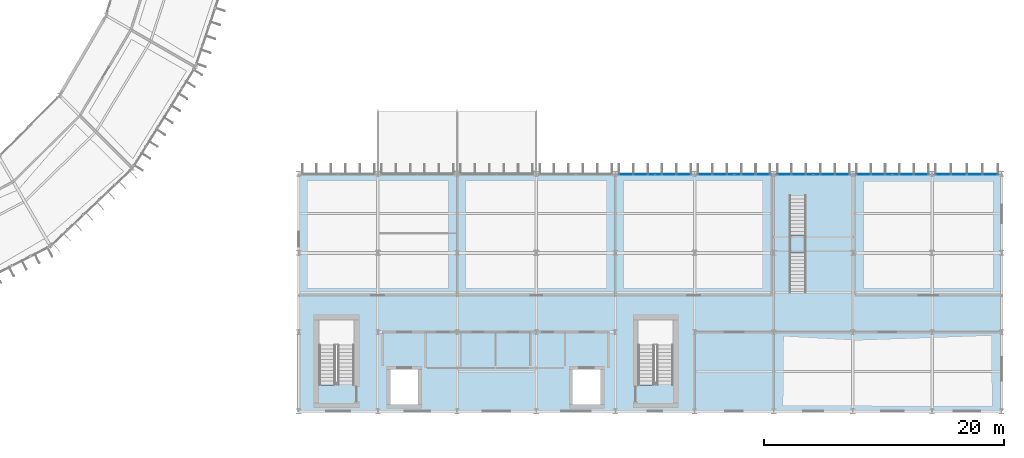
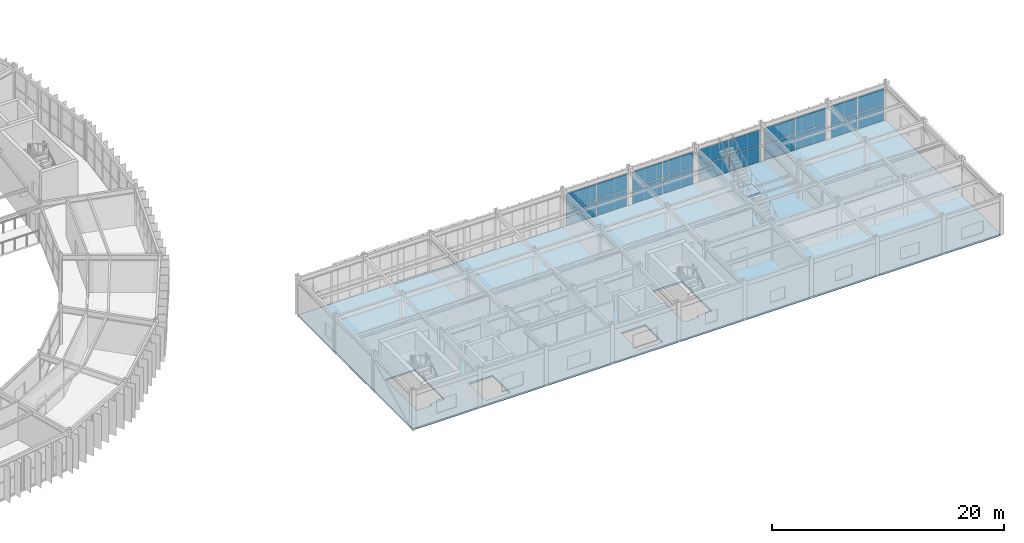
# One storey, part 106 of 148: 20 plates, 2 slabs, 6 elements without a shape of their own.
"""IFC4 building model written with IfcOpenShell, lengths in metres."""

from ifc_helpers import new_model, si_unit, direction, frame, origin, origin_2d, place, context, subcontext, project, spatial, polyline, rectangle, outline, extrude, material, layer, layer_set, type_object, element, aggregate, save


model = new_model("IFC4")

# Units and contexts
model_context = context("Model", 3, precision=1e-05, world=origin(), true_north=direction((0.0, 1.0)))
body_context = subcontext(model_context, "Body", "Model", "MODEL_VIEW")
ifc_project = project(units=[si_unit("LENGTHUNIT", "METRE"), si_unit("AREAUNIT", "SQUARE_METRE"), si_unit("VOLUMEUNIT", "CUBIC_METRE"), si_unit("PLANEANGLEUNIT", "RADIAN"), si_unit("MASSUNIT", "GRAM", prefix="KILO")], contexts=[model_context])

# Site, building, storey
site_placement = place(None, origin())
site = spatial("IfcSite", under=ifc_project, at=site_placement, CompositionType="ELEMENT")
building_placement = place(site_placement, origin())
building = spatial("IfcBuilding", under=site, at=building_placement, Name="Karori Crest Natural Sciences Institute", CompositionType="ELEMENT")
storey_placement = place(building_placement, frame((0.0, 0.0, 4.89990234375)))
storey = spatial("IfcBuildingStorey", under=building, at=storey_placement, Name="L01", CompositionType="ELEMENT", Elevation=4.89990234375)

# Curtain wall, plates
ifc_material_1 = material(Name="Anodised architectural aluminium 6063-T6", Category="aluminium")
curtain_wall_type = type_object("IfcCurtainWallType", Name="CWT-20", PredefinedType="NOTDEFINED", material=ifc_material_1)
curtain_wall_1_placement = place(storey_placement, origin())
curtain_wall_1 = element("IfcCurtainWall", 1, at=curtain_wall_1_placement, inside=storey, type_object=curtain_wall_type, Name="Curtain wall CW-0308", PredefinedType="NOTDEFINED")
ifc_material_2 = material(Name="Double low-E laminated glass", Category="glass")
ifc_layer_1 = layer(ifc_material_2, 0.02392578125, Name="Double low-E laminated glass")
ifc_layer_set_1 = layer_set([ifc_layer_1], Name="Double low-E laminated glass")
plate_type = type_object("IfcPlateType", Name="CWP-01", PredefinedType="CURTAIN_PANEL", material=ifc_layer_set_1)
plate_1_placement = place(storey_placement, frame((131.76513671875, 20.5400390625, 0.06005859375), z_axis=(0.0, 0.0, 1.0), x_axis=(1.0, 0.0, 0.0)))
plate_1 = element("IfcPlate", 2, at=plate_1_placement, type_object=plate_type, Name="CW-0308 panel 1.1", PredefinedType="CURTAIN_PANEL", context=body_context, shape_type="SweptSolid", body=[
    extrude(rectangle(XDim=3.00439453125, YDim=0.02392578125, at=origin_2d()), origin(), (0.0, 0.0, 1.0), 1.66259765625),
])
plate_2_placement = place(storey_placement, frame((131.76513671875, 20.5400390625, 1.782470703125), z_axis=(0.0, 0.0, 1.0), x_axis=(1.0, 0.0, 0.0)))
plate_2 = element("IfcPlate", 3, at=plate_2_placement, type_object=plate_type, Name="CW-0308 panel 1.2", PredefinedType="CURTAIN_PANEL", context=body_context, shape_type="SweptSolid", body=[
    extrude(rectangle(XDim=3.00439453125, YDim=0.02392578125, at=origin_2d()), origin(), (0.0, 0.0, 1.0), 1.66259765625),
])
plate_3_placement = place(storey_placement, frame((134.834716796875, 20.5400390625, 0.06005859375), z_axis=(0.0, 0.0, 1.0), x_axis=(1.0, 0.0, 0.0)))
plate_3 = element("IfcPlate", 4, at=plate_3_placement, type_object=plate_type, Name="CW-0308 panel 2.1", PredefinedType="CURTAIN_PANEL", context=body_context, shape_type="SweptSolid", body=[
    extrude(rectangle(XDim=3.00439453125, YDim=0.02392578125, at=origin_2d()), origin(), (0.0, 0.0, 1.0), 1.66259765625),
])
plate_4_placement = place(storey_placement, frame((134.834716796875, 20.5400390625, 1.782470703125), z_axis=(0.0, 0.0, 1.0), x_axis=(1.0, 0.0, 0.0)))
plate_4 = element("IfcPlate", 5, at=plate_4_placement, type_object=plate_type, Name="CW-0308 panel 2.2", PredefinedType="CURTAIN_PANEL", context=body_context, shape_type="SweptSolid", body=[
    extrude(rectangle(XDim=3.00439453125, YDim=0.02392578125, at=origin_2d()), origin(), (0.0, 0.0, 1.0), 1.66259765625),
])
aggregate(curtain_wall_1, [plate_1, plate_2, plate_3, plate_4])

curtain_wall_2_placement = place(storey_placement, origin())
curtain_wall_2 = element("IfcCurtainWall", 6, at=curtain_wall_2_placement, inside=storey, type_object=curtain_wall_type, Name="Curtain wall CW-0309", PredefinedType="NOTDEFINED")
plate_5_placement = place(storey_placement, frame((138.365234375, 20.5400390625, 0.06005859375), z_axis=(0.0, 0.0, 1.0), x_axis=(1.0, 0.0, 0.0)))
plate_5 = element("IfcPlate", 7, at=plate_5_placement, type_object=plate_type, Name="CW-0309 panel 1.1", PredefinedType="CURTAIN_PANEL", context=body_context, shape_type="SweptSolid", body=[
    extrude(rectangle(XDim=3.00439453125, YDim=0.02392578125, at=origin_2d()), origin(), (0.0, 0.0, 1.0), 1.66259765625),
])
plate_6_placement = place(storey_placement, frame((138.365234375, 20.5400390625, 1.782470703125), z_axis=(0.0, 0.0, 1.0), x_axis=(1.0, 0.0, 0.0)))
plate_6 = element("IfcPlate", 8, at=plate_6_placement, type_object=plate_type, Name="CW-0309 panel 1.2", PredefinedType="CURTAIN_PANEL", context=body_context, shape_type="SweptSolid", body=[
    extrude(rectangle(XDim=3.00439453125, YDim=0.02392578125, at=origin_2d()), origin(), (0.0, 0.0, 1.0), 1.66259765625),
])
plate_7_placement = place(storey_placement, frame((141.434814453125, 20.5400390625, 0.06005859375), z_axis=(0.0, 0.0, 1.0), x_axis=(1.0, 0.0, 0.0)))
plate_7 = element("IfcPlate", 9, at=plate_7_placement, type_object=plate_type, Name="CW-0309 panel 2.1", PredefinedType="CURTAIN_PANEL", context=body_context, shape_type="SweptSolid", body=[
    extrude(rectangle(XDim=3.00439453125, YDim=0.02392578125, at=origin_2d()), origin(), (0.0, 0.0, 1.0), 1.66259765625),
])
plate_8_placement = place(storey_placement, frame((141.434814453125, 20.5400390625, 1.782470703125), z_axis=(0.0, 0.0, 1.0), x_axis=(1.0, 0.0, 0.0)))
plate_8 = element("IfcPlate", 10, at=plate_8_placement, type_object=plate_type, Name="CW-0309 panel 2.2", PredefinedType="CURTAIN_PANEL", context=body_context, shape_type="SweptSolid", body=[
    extrude(rectangle(XDim=3.00439453125, YDim=0.02392578125, at=origin_2d()), origin(), (0.0, 0.0, 1.0), 1.66259765625),
])
aggregate(curtain_wall_2, [plate_5, plate_6, plate_7, plate_8])

curtain_wall_3_placement = place(storey_placement, origin())
curtain_wall_3 = element("IfcCurtainWall", 11, at=curtain_wall_3_placement, inside=storey, type_object=curtain_wall_type, Name="Curtain wall CW-0310", PredefinedType="NOTDEFINED")
plate_9_placement = place(storey_placement, frame((144.96533203125, 20.5400390625, 0.06005859375), z_axis=(0.0, 0.0, 1.0), x_axis=(1.0, 0.0, 0.0)))
plate_9 = element("IfcPlate", 12, at=plate_9_placement, type_object=plate_type, Name="CW-0310 panel 1.1", PredefinedType="CURTAIN_PANEL", context=body_context, shape_type="SweptSolid", body=[
    extrude(rectangle(XDim=3.00439453125, YDim=0.02392578125, at=origin_2d()), origin(), (0.0, 0.0, 1.0), 1.66259765625),
])
plate_10_placement = place(storey_placement, frame((144.96533203125, 20.5400390625, 1.782470703125), z_axis=(0.0, 0.0, 1.0), x_axis=(1.0, 0.0, 0.0)))
plate_10 = element("IfcPlate", 13, at=plate_10_placement, type_object=plate_type, Name="CW-0310 panel 1.2", PredefinedType="CURTAIN_PANEL", context=body_context, shape_type="SweptSolid", body=[
    extrude(rectangle(XDim=3.00439453125, YDim=0.02392578125, at=origin_2d()), origin(), (0.0, 0.0, 1.0), 1.66259765625),
])
plate_11_placement = place(storey_placement, frame((148.03466796875, 20.5400390625, 0.06005859375), z_axis=(0.0, 0.0, 1.0), x_axis=(1.0, 0.0, 0.0)))
plate_11 = element("IfcPlate", 14, at=plate_11_placement, type_object=plate_type, Name="CW-0310 panel 2.1", PredefinedType="CURTAIN_PANEL", context=body_context, shape_type="SweptSolid", body=[
    extrude(rectangle(XDim=3.00439453125, YDim=0.02392578125, at=origin_2d()), origin(), (0.0, 0.0, 1.0), 1.66259765625),
])
plate_12_placement = place(storey_placement, frame((148.03466796875, 20.5400390625, 1.782470703125), z_axis=(0.0, 0.0, 1.0), x_axis=(1.0, 0.0, 0.0)))
plate_12 = element("IfcPlate", 15, at=plate_12_placement, type_object=plate_type, Name="CW-0310 panel 2.2", PredefinedType="CURTAIN_PANEL", context=body_context, shape_type="SweptSolid", body=[
    extrude(rectangle(XDim=3.00439453125, YDim=0.02392578125, at=origin_2d()), origin(), (0.0, 0.0, 1.0), 1.66259765625),
])
aggregate(curtain_wall_3, [plate_9, plate_10, plate_11, plate_12])

curtain_wall_4_placement = place(storey_placement, origin())
curtain_wall_4 = element("IfcCurtainWall", 16, at=curtain_wall_4_placement, inside=storey, type_object=curtain_wall_type, Name="Curtain wall CW-0311", PredefinedType="NOTDEFINED")
plate_13_placement = place(storey_placement, frame((151.565185546875, 20.5400390625, 0.06005859375), z_axis=(0.0, 0.0, 1.0), x_axis=(1.0, 0.0, 0.0)))
plate_13 = element("IfcPlate", 17, at=plate_13_placement, type_object=plate_type, Name="CW-0311 panel 1.1", PredefinedType="CURTAIN_PANEL", context=body_context, shape_type="SweptSolid", body=[
    extrude(rectangle(XDim=3.00439453125, YDim=0.02392578125, at=origin_2d()), origin(), (0.0, 0.0, 1.0), 1.66259765625),
])
plate_14_placement = place(storey_placement, frame((151.565185546875, 20.5400390625, 1.782470703125), z_axis=(0.0, 0.0, 1.0), x_axis=(1.0, 0.0, 0.0)))
plate_14 = element("IfcPlate", 18, at=plate_14_placement, type_object=plate_type, Name="CW-0311 panel 1.2", PredefinedType="CURTAIN_PANEL", context=body_context, shape_type="SweptSolid", body=[
    extrude(rectangle(XDim=3.00439453125, YDim=0.02392578125, at=origin_2d()), origin(), (0.0, 0.0, 1.0), 1.66259765625),
])
plate_15_placement = place(storey_placement, frame((154.634765625, 20.5400390625, 0.06005859375), z_axis=(0.0, 0.0, 1.0), x_axis=(1.0, 0.0, 0.0)))
plate_15 = element("IfcPlate", 19, at=plate_15_placement, type_object=plate_type, Name="CW-0311 panel 2.1", PredefinedType="CURTAIN_PANEL", context=body_context, shape_type="SweptSolid", body=[
    extrude(rectangle(XDim=3.00439453125, YDim=0.02392578125, at=origin_2d()), origin(), (0.0, 0.0, 1.0), 1.66259765625),
])
plate_16_placement = place(storey_placement, frame((154.634765625, 20.5400390625, 1.782470703125), z_axis=(0.0, 0.0, 1.0), x_axis=(1.0, 0.0, 0.0)))
plate_16 = element("IfcPlate", 20, at=plate_16_placement, type_object=plate_type, Name="CW-0311 panel 2.2", PredefinedType="CURTAIN_PANEL", context=body_context, shape_type="SweptSolid", body=[
    extrude(rectangle(XDim=3.00439453125, YDim=0.02392578125, at=origin_2d()), origin(), (0.0, 0.0, 1.0), 1.66259765625),
])
aggregate(curtain_wall_4, [plate_13, plate_14, plate_15, plate_16])

curtain_wall_5_placement = place(storey_placement, origin())
curtain_wall_5 = element("IfcCurtainWall", 21, at=curtain_wall_5_placement, inside=storey, type_object=curtain_wall_type, Name="Curtain wall CW-0312", PredefinedType="NOTDEFINED")
plate_17_placement = place(storey_placement, frame((157.96533203125, 20.5400390625, 0.06005859375), z_axis=(0.0, 0.0, 1.0), x_axis=(1.0, 0.0, 0.0)))
plate_17 = element("IfcPlate", 22, at=plate_17_placement, type_object=plate_type, Name="CW-0312 panel 1.1", PredefinedType="CURTAIN_PANEL", context=body_context, shape_type="SweptSolid", body=[
    extrude(rectangle(XDim=2.6044921875, YDim=0.02392578125, at=origin_2d()), origin(), (0.0, 0.0, 1.0), 1.66259765625),
])
plate_18_placement = place(storey_placement, frame((157.96533203125, 20.5400390625, 1.782470703125), z_axis=(0.0, 0.0, 1.0), x_axis=(1.0, 0.0, 0.0)))
plate_18 = element("IfcPlate", 23, at=plate_18_placement, type_object=plate_type, Name="CW-0312 panel 1.2", PredefinedType="CURTAIN_PANEL", context=body_context, shape_type="SweptSolid", body=[
    extrude(rectangle(XDim=2.6044921875, YDim=0.02392578125, at=origin_2d()), origin(), (0.0, 0.0, 1.0), 1.66259765625),
])
plate_19_placement = place(storey_placement, frame((160.634765625, 20.5400390625, 0.06005859375), z_axis=(0.0, 0.0, 1.0), x_axis=(1.0, 0.0, 0.0)))
plate_19 = element("IfcPlate", 24, at=plate_19_placement, type_object=plate_type, Name="CW-0312 panel 2.1", PredefinedType="CURTAIN_PANEL", context=body_context, shape_type="SweptSolid", body=[
    extrude(rectangle(XDim=2.6044921875, YDim=0.02392578125, at=origin_2d()), origin(), (0.0, 0.0, 1.0), 1.66259765625),
])
plate_20_placement = place(storey_placement, frame((160.634765625, 20.5400390625, 1.782470703125), z_axis=(0.0, 0.0, 1.0), x_axis=(1.0, 0.0, 0.0)))
plate_20 = element("IfcPlate", 25, at=plate_20_placement, type_object=plate_type, Name="CW-0312 panel 2.2", PredefinedType="CURTAIN_PANEL", context=body_context, shape_type="SweptSolid", body=[
    extrude(rectangle(XDim=2.6044921875, YDim=0.02392578125, at=origin_2d()), origin(), (0.0, 0.0, 1.0), 1.66259765625),
])
aggregate(curtain_wall_5, [plate_17, plate_18, plate_19, plate_20])

# Slab
ifc_material_3 = material(Name="Concrete 40 MPa", Category="concrete")
ifc_layer_2 = layer(ifc_material_3, 0.179931640625, Name="Concrete 40 MPa")
ifc_layer_set_2 = layer_set([ifc_layer_2], Name="Concrete 40 MPa")
slab_type_1 = type_object("IfcSlabType", Name="SLT-09", PredefinedType="FLOOR", material=ifc_layer_set_2)
slab_1_placement = place(storey_placement, frame((0.0, 0.0, -0.179931640625)))
element("IfcSlab", 26, at=slab_1_placement, inside=storey, type_object=slab_type_1, Name="V5 Slab SL-0164", PredefinedType="FLOOR", context=body_context, shape_type="SweptSolid", body=[
    extrude(outline(polyline([(103.60009765625, 0.800048828125), (162.199951171875, 0.800048828125), (162.199951171875, 20.60009765625), (103.60009765625, 20.60009765625), (103.60009765625, 0.800048828125)]), holes=[polyline([(108.199951171875, 3.280029296875), (106.75, 3.280029296875), (106.75, 3.00048828125), (105.300048828125, 3.00048828125), (105.300048828125, 8.39990234375), (108.199951171875, 8.39990234375), (108.199951171875, 3.280029296875)]), polyline([(134.800048828125, 3.280029296875), (133.35009765625, 3.280029296875), (133.35009765625, 3.00048828125), (131.89990234375, 3.00048828125), (131.89990234375, 8.39990234375), (134.800048828125, 8.39990234375), (134.800048828125, 3.280029296875)]), polyline([(111.199951171875, 4.300048828125), (113.60009765625, 4.300048828125), (113.60009765625, 1.300048828125), (111.199951171875, 1.300048828125), (111.199951171875, 4.300048828125)]), polyline([(126.39990234375, 4.300048828125), (128.800048828125, 4.300048828125), (128.800048828125, 1.300048828125), (126.39990234375, 1.300048828125), (126.39990234375, 4.300048828125)])]), origin(), (0.0, 0.0, 1.0), 0.179931640625),
])

# Stair, slab
stair_type = type_object("IfcStairType", Name="STT-05", PredefinedType="STRAIGHT_RUN_STAIR", material=ifc_material_3)
stair_placement = place(storey_placement, origin())
stair = element("IfcStair", 27, at=stair_placement, inside=storey, type_object=stair_type, Name="Feature straight stair ST-14", PredefinedType="STRAIGHT_RUN_STAIR")
ifc_layer_3 = layer(ifc_material_3, 0.2099609375, Name="Concrete 40 MPa")
ifc_layer_set_3 = layer_set([ifc_layer_3], Name="Concrete 40 MPa")
slab_type_2 = type_object("IfcSlabType", Name="SLT-11", PredefinedType="LANDING", material=ifc_layer_set_3)
slab_2_placement = place(storey_placement, frame((0.0, 0.0, 1.89013671875)))
slab_2 = element("IfcSlab", 28, at=slab_2_placement, type_object=slab_type_2, Name="ST-14 landing 1", PredefinedType="LANDING", context=body_context, shape_type="SweptSolid", body=[
    extrude(outline(polyline([(144.52490234375, 14.0), (145.875, 14.0), (145.875, 15.5), (144.52490234375, 15.5), (144.52490234375, 14.0)])), origin(), (0.0, 0.0, 1.0), 0.2099609375),
])
aggregate(stair, [slab_2])

save(model, "model.ifc")
